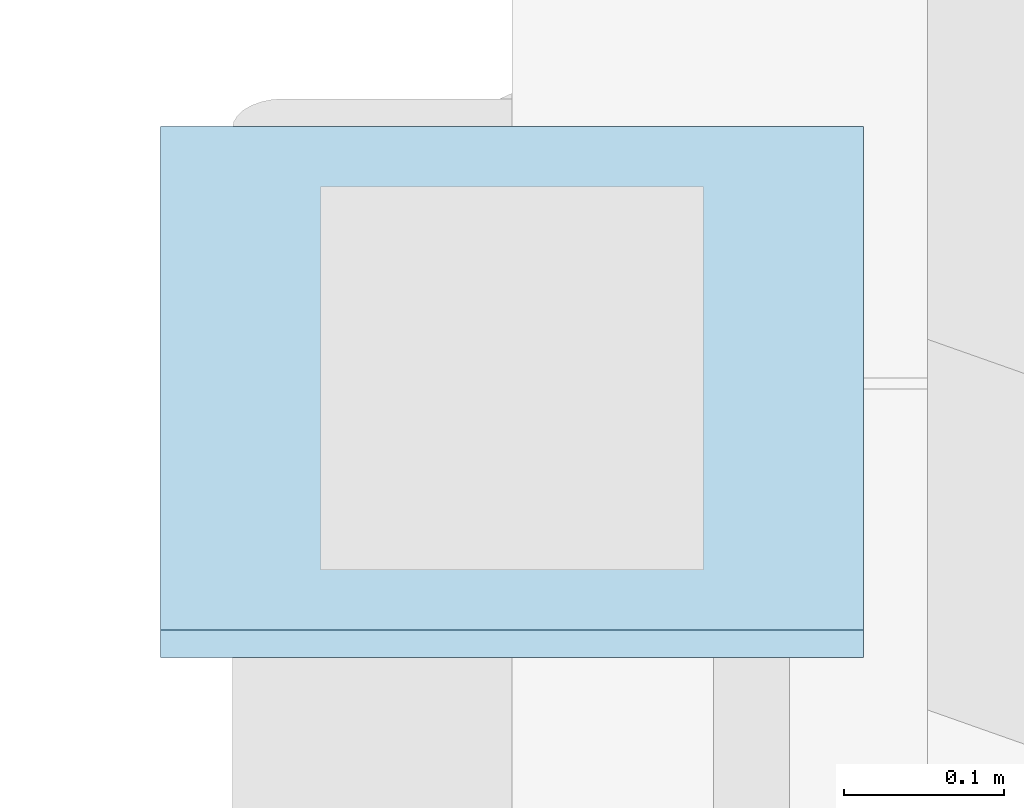
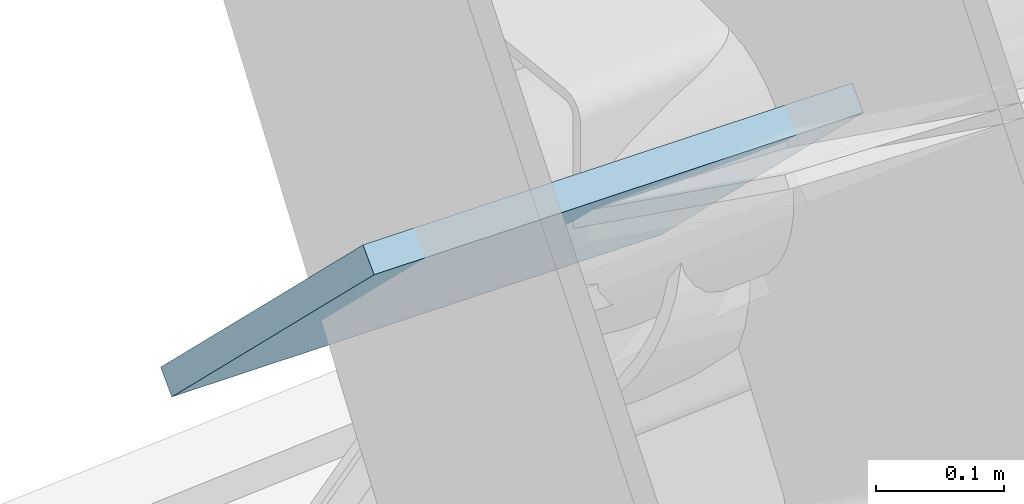
# One storey, part 40 of 67: 1 plate.
"""IFC4 building model written with IfcOpenShell, lengths in metres."""

from ifc_helpers import new_model, si_unit, direction, frame, origin, place, context, subcontext, project, spatial, polyline, outline, extrude, material, layer, layer_set, type_object, element, save


model = new_model("IFC4")

# Units and contexts
model_context = context("Model", 3, precision=1e-05, world=origin(), true_north=direction((0.0, 1.0)))
body_context = subcontext(model_context, "Body", "Model", "MODEL_VIEW")
ifc_project = project(units=[si_unit("LENGTHUNIT", "METRE"), si_unit("AREAUNIT", "SQUARE_METRE"), si_unit("VOLUMEUNIT", "CUBIC_METRE"), si_unit("PLANEANGLEUNIT", "RADIAN"), si_unit("MASSUNIT", "GRAM", prefix="KILO")], contexts=[model_context])

# Site, building, storey
site_placement = place(None, origin())
site = spatial("IfcSite", under=ifc_project, at=site_placement, CompositionType="ELEMENT")
building_placement = place(site_placement, origin())
building = spatial("IfcBuilding", under=site, at=building_placement, Name="Kenh Van Central Station", CompositionType="ELEMENT")
storey_placement = place(building_placement, frame((0.0, 0.0, 10.800048828125)))
storey = spatial("IfcBuildingStorey", under=building, at=storey_placement, Name="L02", CompositionType="ELEMENT", Elevation=10.800048828125)

# Plate
ifc_material = material(Name="White fluoropolymer structural steel S355", Category="steel")
ifc_layer = layer(ifc_material, 0.02490234375, Name="White fluoropolymer structural steel S355")
ifc_layer_set = layer_set([ifc_layer], Name="White fluoropolymer structural steel S355")
plate_type = type_object("IfcPlateType", Name="PLT-GUSSET-NP25", PredefinedType="USERDEFINED", material=ifc_layer_set)
plate_placement = place(storey_placement, frame((31.780029296875, 109.2900390625, 3.91552734375), z_axis=(0.0, 0.698178312664, 0.715923909173), x_axis=(1.0, 0.0, 0.0)))
element("IfcPlate", 1, at=plate_placement, inside=storey, type_object=plate_type, Name="Vault node gusset plate NP-25 011", ObjectType="GUSSET_PLATE", PredefinedType="USERDEFINED", context=body_context, shape_type="SweptSolid", body=[
    extrude(outline(polyline([(0.0, 0.0), (0.43994140625, 0.0), (0.43994140625, 0.44025006405918193), (0.0, 0.44025006405918193), (0.0, 0.0)])), origin(), (0.0, 0.0, -1.0), 0.02490234375),
])

save(model, "model.ifc")
